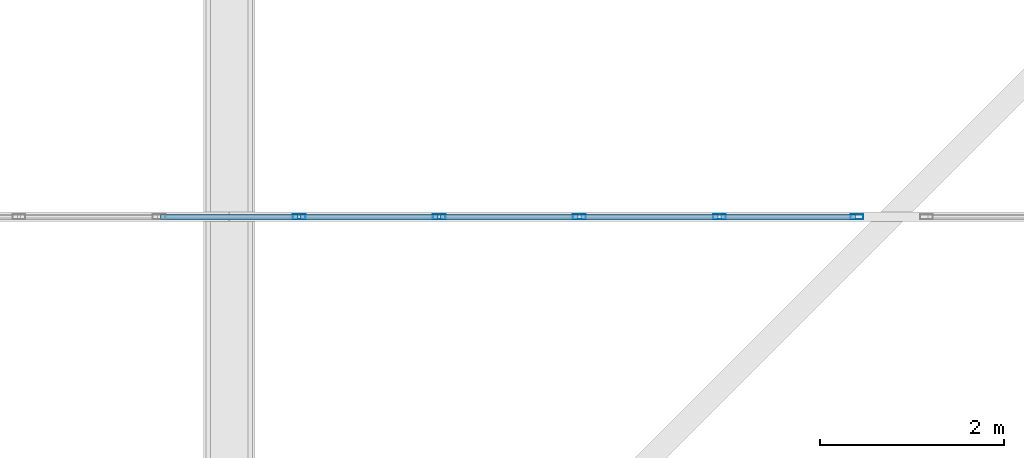
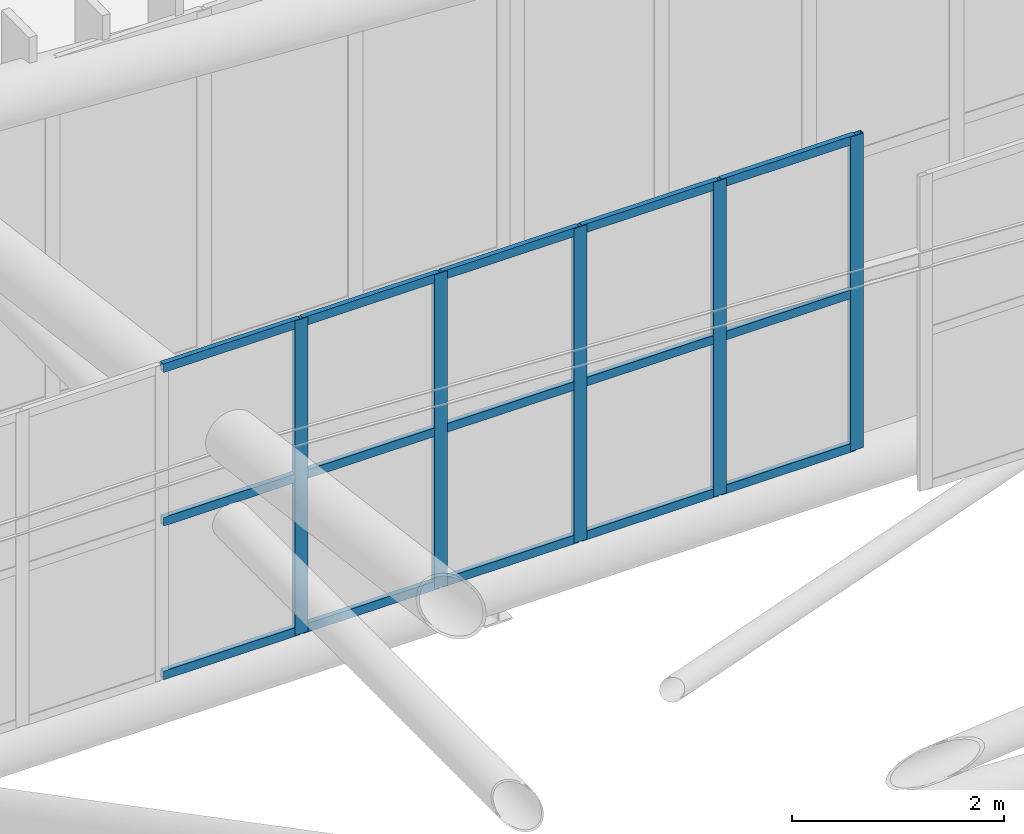
# One storey, part 308 of 397: 20 members, 1 element without a shape of its own.
"""IFC4 building model written with IfcOpenShell, lengths in metres."""

import ifcopenshell
import ifcopenshell.guid

model = None  # the IFC model being written
_history = None  # IfcOwnerHistory: only IFC2X3 demands one
_inside = {}  # id of a spatial element -> (the spatial element, [elements in it])
_under = {}  # id of a project, library or spatial element -> (it, [spatial elements below it])
_declared = {}  # id of a project -> (the project, [libraries it declares])
_typed = {}  # id of a type object -> (the type object, [elements of that type])
_made_of = {}  # id of a material, layer set ... -> (it, [elements and type objects made of it])


def new_model(schema):
    """Start an empty IFC model of exactly this schema.

    Asked for "IFC4X3", IfcOpenShell would pick the latest addendum, in which some entities
    have other attributes; the version numbers below select the first issue.
    IFC2X3 requires an IfcOwnerHistory on every rooted entity: one is made here for all.
    """
    global model, _history
    if schema == "IFC4X3":
        model = ifcopenshell.file(schema_version=(4, 3, 0, 0))
    else:
        model = ifcopenshell.file(schema=schema)
    _inside.clear()
    _under.clear()
    _declared.clear()
    _typed.clear()
    _made_of.clear()
    _history = None
    if model.schema == "IFC2X3":
        org = make("IfcOrganization", Name="unknown")
        user = make(
            "IfcPersonAndOrganization",
            ThePerson=make("IfcPerson", FamilyName="unknown"),
            TheOrganization=org,
        )
        app = make(
            "IfcApplication",
            ApplicationDeveloper=org,
            Version="unknown",
            ApplicationFullName="unknown",
            ApplicationIdentifier="unknown",
        )
        _history = make(
            "IfcOwnerHistory",
            OwningUser=user,
            OwningApplication=app,
            ChangeAction="ADDED",
            CreationDate=0,
        )
    return model


def make(cls, **values):
    """One entity of the class cls with the attributes given. An attribute that is None is left unset."""
    return model.create_entity(
        cls, **{name: value for name, value in values.items() if value is not None}
    )


def rooted(cls, **values):
    """An entity with a GlobalId (a new one), such as an element, a storey or a relation."""
    return make(cls, GlobalId=ifcopenshell.guid.new(), OwnerHistory=_history, **values)


def si_unit(unit_type, name, prefix=None):
    """IfcSIUnit, for example si_unit("LENGTHUNIT", "METRE", prefix="MILLI")."""
    return make("IfcSIUnit", UnitType=unit_type, Prefix=prefix, Name=name)


def assignment(units):
    """IfcUnitAssignment: the units of a project."""
    return None if units is None else make("IfcUnitAssignment", Units=units)


def point(xyz):
    """IfcCartesianPoint."""
    return None if xyz is None else make("IfcCartesianPoint", Coordinates=xyz)


def direction(xyz):
    """IfcDirection."""
    return None if xyz is None else make("IfcDirection", DirectionRatios=xyz)


def frame(location, z_axis=None, x_axis=None):
    """IfcAxis2Placement3D, a coordinate frame: its origin and axes. An axis left out is left unset."""
    return make(
        "IfcAxis2Placement3D",
        Location=point(location),
        Axis=direction(z_axis),
        RefDirection=direction(x_axis),
    )


def frame_2d(location, x_axis=None):
    """IfcAxis2Placement2D, a coordinate frame in the plane: its origin and x axis."""
    return make(
        "IfcAxis2Placement2D", Location=point(location), RefDirection=direction(x_axis)
    )


def origin():
    """The frame at (0, 0, 0) with its axes left unset."""
    return frame((0.0, 0.0, 0.0))


def origin_2d():
    """The frame at (0, 0) in the plane with its x axis left unset."""
    return frame_2d((0.0, 0.0))


def place(relative_to, where):
    """IfcLocalPlacement: puts the frame where relative to a parent placement (None: the world)."""
    return make(
        "IfcLocalPlacement", PlacementRelTo=relative_to, RelativePlacement=where
    )


def context(
    kind, dimensions, precision=None, world=None, true_north=None, identifier=None
):
    """IfcGeometricRepresentationContext, for example the 3D "Model" context."""
    return make(
        "IfcGeometricRepresentationContext",
        ContextIdentifier=identifier,
        ContextType=kind,
        CoordinateSpaceDimension=dimensions,
        Precision=precision,
        WorldCoordinateSystem=world,
        TrueNorth=true_north,
    )


def subcontext(parent, identifier, kind, view, scale=None):
    """IfcGeometricRepresentationSubContext, for example "Body" below "Model"."""
    return make(
        "IfcGeometricRepresentationSubContext",
        ContextIdentifier=identifier,
        ContextType=kind,
        ParentContext=parent,
        TargetScale=scale,
        TargetView=view,
    )


def project(units=None, contexts=None):
    """IfcProject with its units and contexts."""
    return rooted(
        "IfcProject",
        Name="project",
        RepresentationContexts=contexts,
        UnitsInContext=assignment(units),
    )


def spatial(cls, under=None, at=None, **own):
    """A site, building, storey or space (cls), placed at a placement, below another one or the project."""
    s = rooted(cls, ObjectPlacement=at, **own)
    if under is not None:
        _under.setdefault(under.id(), (under, []))[1].append(s)
    return s


def profile(cls, at=None, kind="AREA", **sizes):
    """A parametric profile (cls). Its sizes go by their IFC names, for example OverallWidth=200.0."""
    return make(cls, ProfileType=kind, Position=at, **sizes)


def hollow_rectangle(**sizes):
    """IfcRectangleHollowProfileDef."""
    return profile("IfcRectangleHollowProfileDef", **sizes)


def extrude(swept, where, along, depth):
    """IfcExtrudedAreaSolid: the profile swept, set in the frame where, extruded along a direction by depth."""
    return make(
        "IfcExtrudedAreaSolid",
        SweptArea=swept,
        Position=where,
        ExtrudedDirection=direction(along),
        Depth=depth,
    )


def shape(context_of_items, identifier, shape_type, items):
    """IfcShapeRepresentation: the items that make up one representation, for example the "Body"."""
    return make(
        "IfcShapeRepresentation",
        ContextOfItems=context_of_items,
        RepresentationIdentifier=identifier,
        RepresentationType=shape_type,
        Items=items,
    )


def material(Name=None, Category=None):
    """IfcMaterial."""
    return make("IfcMaterial", Name=Name, Category=Category)


def material_profile(
    of_material, cross_section, Name=None, Category=None, Priority=None
):
    """IfcMaterialProfile: a cross section and its material."""
    return make(
        "IfcMaterialProfile",
        Name=Name,
        Material=of_material,
        Profile=cross_section,
        Priority=Priority,
        Category=Category,
    )


def profile_set(profiles, Name=None, composite=None):
    """IfcMaterialProfileSet."""
    return make(
        "IfcMaterialProfileSet",
        Name=Name,
        MaterialProfiles=profiles,
        CompositeProfile=composite,
    )


def made_of(thing, what):
    """Note that an element or type object is made of a material, layer set ...; save() writes the relation."""
    if what is not None:
        _made_of.setdefault(what.id(), (what, []))[1].append(thing)
    return thing


def type_object(cls, material=None, **own):
    """A type object (cls), such as IfcWallType, which elements share."""
    return made_of(rooted(cls, **own), material)


def element(
    cls,
    number,
    at=None,
    inside=None,
    cuts=None,
    type_object=None,
    material=None,
    context=None,
    identifier="Body",
    shape_type=None,
    held_by="IfcProductDefinitionShape",
    body=None,
    shapes=None,
    **own,
):
    """One element of the class cls, such as IfcWall. Its Tag is "e" and its number.

    at: its placement. inside: the storey or other place that contains it. cuts: it is an
    opening in that element (IfcRelVoidsElement). A single representation is given by context,
    identifier, shape_type and body (its items); several are given by shapes. held_by: the class
    of the entity that holds the representations. save() writes the other relations.
    """
    e = rooted(cls, Tag="e%d" % number, ObjectPlacement=at, **own)
    if body is not None:
        shapes = [shape(context, identifier, shape_type, body)]
    if shapes is not None:
        e.Representation = make(held_by, Representations=shapes)
    if inside is not None:
        _inside.setdefault(inside.id(), (inside, []))[1].append(e)
    if cuts is not None:
        rooted(
            "IfcRelVoidsElement", RelatingBuildingElement=cuts, RelatedOpeningElement=e
        )
    if type_object is not None:
        _typed.setdefault(type_object.id(), (type_object, []))[1].append(e)
    return made_of(e, material)


def aggregate(whole, parts):
    """IfcRelAggregates: a whole, such as a stair, and the parts it consists of."""
    return rooted("IfcRelAggregates", RelatingObject=whole, RelatedObjects=parts)


def save(model, path):
    """Write the relations noted so far, then the file.

    IfcRelAggregates (storeys below a building ...), IfcRelContainedInSpatialStructure (elements
    in a storey), IfcRelDefinesByType, IfcRelAssociatesMaterial and IfcRelDeclares: one each for
    every whole, place, type object, material and project.
    """
    for whole, parts in _under.values():
        aggregate(whole, parts)
    for where, things in _inside.values():
        rooted(
            "IfcRelContainedInSpatialStructure",
            RelatedElements=things,
            RelatingStructure=where,
        )
    for kind, things in _typed.values():
        rooted("IfcRelDefinesByType", RelatedObjects=things, RelatingType=kind)
    for what, things in _made_of.values():
        rooted("IfcRelAssociatesMaterial", RelatedObjects=things, RelatingMaterial=what)
    for by, libraries in _declared.values():
        rooted("IfcRelDeclares", RelatingContext=by, RelatedDefinitions=libraries)
    model.write(path)


model = new_model("IFC4")

# Units and contexts
model_context = context("Model", 3, precision=1e-05, world=origin(), true_north=direction((0.0, 1.0)))
body_context = subcontext(model_context, "Body", "Model", "MODEL_VIEW")
ifc_project = project(units=[si_unit("LENGTHUNIT", "METRE"), si_unit("AREAUNIT", "SQUARE_METRE"), si_unit("VOLUMEUNIT", "CUBIC_METRE"), si_unit("PLANEANGLEUNIT", "RADIAN"), si_unit("MASSUNIT", "GRAM", prefix="KILO")], contexts=[model_context])

# Site, building, storey
site_placement = place(None, origin())
site = spatial("IfcSite", under=ifc_project, at=site_placement, CompositionType="ELEMENT")
building_placement = place(site_placement, origin())
building = spatial("IfcBuilding", under=site, at=building_placement, Name="Qandorah Velis Arena", CompositionType="ELEMENT")
storey_placement = place(building_placement, frame((0.0, 0.0, 27.5)))
storey = spatial("IfcBuildingStorey", under=building, at=storey_placement, Name="RF", CompositionType="ELEMENT", Elevation=27.5)

# Curtain wall, members
ifc_material_1 = material(Name="Solar-control low-E double glazing", Category="glass")
curtain_wall_type = type_object("IfcCurtainWallType", Name="ARC-CW-SYS04", PredefinedType="USERDEFINED", material=ifc_material_1)
curtain_wall_placement = place(storey_placement, origin())
curtain_wall = element("IfcCurtainWall", 1, at=curtain_wall_placement, inside=storey, type_object=curtain_wall_type, Name="Unitised curtain wall MON-4-4", ObjectType="UNITISED CURTAIN WALL", PredefinedType="USERDEFINED")
ifc_material_2 = material(Name="Champagne-bronze anodized aluminium 6063-T6", Category="aluminium")
ifc_material_profile_1 = material_profile(ifc_material_2, hollow_rectangle(XDim=0.054931640625, YDim=0.139892578125, WallThickness=0.0029296875, at=origin_2d()), Name="ALU MULLION 55x140")
ifc_profile_set_1 = profile_set([ifc_material_profile_1], Name="Champagne-bronze anodized aluminium 6063-T6")
member_type_1 = type_object("IfcMemberType", Name="ARC-CWM-140", PredefinedType="MULLION", material=ifc_profile_set_1)
member_1_placement = place(storey_placement, frame((72.76123046875, 108.0, 6.064697265625), z_axis=(0.0, 0.0, 1.0), x_axis=(0.0, 1.0, 0.0)))
member_1 = element("IfcMember", 2, at=member_1_placement, type_object=member_type_1, Name="CW04 mullion 6", PredefinedType="MULLION", context=body_context, shape_type="SweptSolid", body=[
    extrude(hollow_rectangle(XDim=0.054931640625, YDim=0.139892578125, WallThickness=0.0029296875, at=origin_2d()), origin(), (0.0, 0.0, 1.0), 3.6298828125),
])
member_2_placement = place(storey_placement, frame((74.283447265625, 108.0, 6.064697265625), z_axis=(0.0, 0.0, 1.0), x_axis=(0.0, 1.0, 0.0)))
member_2 = element("IfcMember", 3, at=member_2_placement, type_object=member_type_1, Name="CW04 mullion 7", PredefinedType="MULLION", context=body_context, shape_type="SweptSolid", body=[
    extrude(hollow_rectangle(XDim=0.054931640625, YDim=0.139892578125, WallThickness=0.0029296875, at=origin_2d()), origin(), (0.0, 0.0, 1.0), 3.6298828125),
])
member_3_placement = place(storey_placement, frame((75.8056640625, 108.0, 6.064697265625), z_axis=(0.0, 0.0, 1.0), x_axis=(0.0, 1.0, 0.0)))
member_3 = element("IfcMember", 4, at=member_3_placement, type_object=member_type_1, Name="CW04 mullion 8", PredefinedType="MULLION", context=body_context, shape_type="SweptSolid", body=[
    extrude(hollow_rectangle(XDim=0.054931640625, YDim=0.139892578125, WallThickness=0.0029296875, at=origin_2d()), origin(), (0.0, 0.0, 1.0), 3.6298828125),
])
member_4_placement = place(storey_placement, frame((77.327880859375, 108.0, 6.064697265625), z_axis=(0.0, 0.0, 1.0), x_axis=(0.0, 1.0, 0.0)))
member_4 = element("IfcMember", 5, at=member_4_placement, type_object=member_type_1, Name="CW04 mullion 9", PredefinedType="MULLION", context=body_context, shape_type="SweptSolid", body=[
    extrude(hollow_rectangle(XDim=0.054931640625, YDim=0.139892578125, WallThickness=0.0029296875, at=origin_2d()), origin(), (0.0, 0.0, 1.0), 3.6298828125),
])
member_5_placement = place(storey_placement, frame((78.822509765625, 108.0, 6.064697265625), z_axis=(0.0, 0.0, 1.0), x_axis=(0.0, 1.0, 0.0)))
member_5 = element("IfcMember", 6, at=member_5_placement, type_object=member_type_1, Name="CW04 mullion 10", PredefinedType="MULLION", context=body_context, shape_type="SweptSolid", body=[
    extrude(hollow_rectangle(XDim=0.054931640625, YDim=0.139892578125, WallThickness=0.0029296875, at=origin_2d()), origin(), (0.0, 0.0, 1.0), 3.6298828125),
])
ifc_material_profile_2 = material_profile(ifc_material_2, hollow_rectangle(XDim=0.054931640625, YDim=0.10009765625, WallThickness=0.0029296875, at=origin_2d()), Name="ALU TRANSOM 55x100")
ifc_profile_set_2 = profile_set([ifc_material_profile_2], Name="Champagne-bronze anodized aluminium 6063-T6")
member_type_2 = type_object("IfcMemberType", Name="ARC-CWT-100", PredefinedType="USERDEFINED", material=ifc_profile_set_2)
member_6_placement = place(storey_placement, frame((71.25439453125, 108.0, 6.107177734375), z_axis=(1.0, 0.0, 0.0), x_axis=(0.0, 1.0, 0.0)))
member_6 = element("IfcMember", 7, at=member_6_placement, type_object=member_type_2, Name="CW04 transom 5.1", ObjectType="TRANSOM", PredefinedType="USERDEFINED", context=body_context, shape_type="SweptSolid", body=[
    extrude(hollow_rectangle(XDim=0.054931640625, YDim=0.10009765625, WallThickness=0.0029296875, at=origin_2d()), origin(), (0.0, 0.0, 1.0), 1.4912109375),
])
member_7_placement = place(storey_placement, frame((71.25439453125, 108.0, 7.879638671875), z_axis=(1.0, 0.0, 0.0), x_axis=(0.0, 1.0, 0.0)))
member_7 = element("IfcMember", 8, at=member_7_placement, type_object=member_type_2, Name="CW04 transom 5.2", ObjectType="TRANSOM", PredefinedType="USERDEFINED", context=body_context, shape_type="SweptSolid", body=[
    extrude(hollow_rectangle(XDim=0.054931640625, YDim=0.10009765625, WallThickness=0.0029296875, at=origin_2d()), origin(), (0.0, 0.0, 1.0), 1.4912109375),
])
member_8_placement = place(storey_placement, frame((71.25439453125, 108.0, 9.652099609375), z_axis=(1.0, 0.0, 0.0), x_axis=(0.0, 1.0, 0.0)))
member_8 = element("IfcMember", 9, at=member_8_placement, type_object=member_type_2, Name="CW04 transom 5.3", ObjectType="TRANSOM", PredefinedType="USERDEFINED", context=body_context, shape_type="SweptSolid", body=[
    extrude(hollow_rectangle(XDim=0.054931640625, YDim=0.10009765625, WallThickness=0.0029296875, at=origin_2d()), origin(), (0.0, 0.0, 1.0), 1.4912109375),
])
member_9_placement = place(storey_placement, frame((72.776611328125, 108.0, 6.107177734375), z_axis=(1.0, 0.0, 0.0), x_axis=(0.0, 1.0, 0.0)))
member_9 = element("IfcMember", 10, at=member_9_placement, type_object=member_type_2, Name="CW04 transom 6.1", ObjectType="TRANSOM", PredefinedType="USERDEFINED", context=body_context, shape_type="SweptSolid", body=[
    extrude(hollow_rectangle(XDim=0.054931640625, YDim=0.10009765625, WallThickness=0.0029296875, at=origin_2d()), origin(), (0.0, 0.0, 1.0), 1.4912109375),
])
member_10_placement = place(storey_placement, frame((72.776611328125, 108.0, 7.879638671875), z_axis=(1.0, 0.0, 0.0), x_axis=(0.0, 1.0, 0.0)))
member_10 = element("IfcMember", 11, at=member_10_placement, type_object=member_type_2, Name="CW04 transom 6.2", ObjectType="TRANSOM", PredefinedType="USERDEFINED", context=body_context, shape_type="SweptSolid", body=[
    extrude(hollow_rectangle(XDim=0.054931640625, YDim=0.10009765625, WallThickness=0.0029296875, at=origin_2d()), origin(), (0.0, 0.0, 1.0), 1.4912109375),
])
member_11_placement = place(storey_placement, frame((72.776611328125, 108.0, 9.652099609375), z_axis=(1.0, 0.0, 0.0), x_axis=(0.0, 1.0, 0.0)))
member_11 = element("IfcMember", 12, at=member_11_placement, type_object=member_type_2, Name="CW04 transom 6.3", ObjectType="TRANSOM", PredefinedType="USERDEFINED", context=body_context, shape_type="SweptSolid", body=[
    extrude(hollow_rectangle(XDim=0.054931640625, YDim=0.10009765625, WallThickness=0.0029296875, at=origin_2d()), origin(), (0.0, 0.0, 1.0), 1.4912109375),
])
member_12_placement = place(storey_placement, frame((74.298828125, 108.0, 6.107177734375), z_axis=(1.0, 0.0, 0.0), x_axis=(0.0, 1.0, 0.0)))
member_12 = element("IfcMember", 13, at=member_12_placement, type_object=member_type_2, Name="CW04 transom 7.1", ObjectType="TRANSOM", PredefinedType="USERDEFINED", context=body_context, shape_type="SweptSolid", body=[
    extrude(hollow_rectangle(XDim=0.054931640625, YDim=0.10009765625, WallThickness=0.0029296875, at=origin_2d()), origin(), (0.0, 0.0, 1.0), 1.4912109375),
])
member_13_placement = place(storey_placement, frame((74.298828125, 108.0, 7.879638671875), z_axis=(1.0, 0.0, 0.0), x_axis=(0.0, 1.0, 0.0)))
member_13 = element("IfcMember", 14, at=member_13_placement, type_object=member_type_2, Name="CW04 transom 7.2", ObjectType="TRANSOM", PredefinedType="USERDEFINED", context=body_context, shape_type="SweptSolid", body=[
    extrude(hollow_rectangle(XDim=0.054931640625, YDim=0.10009765625, WallThickness=0.0029296875, at=origin_2d()), origin(), (0.0, 0.0, 1.0), 1.4912109375),
])
member_14_placement = place(storey_placement, frame((74.298828125, 108.0, 9.652099609375), z_axis=(1.0, 0.0, 0.0), x_axis=(0.0, 1.0, 0.0)))
member_14 = element("IfcMember", 15, at=member_14_placement, type_object=member_type_2, Name="CW04 transom 7.3", ObjectType="TRANSOM", PredefinedType="USERDEFINED", context=body_context, shape_type="SweptSolid", body=[
    extrude(hollow_rectangle(XDim=0.054931640625, YDim=0.10009765625, WallThickness=0.0029296875, at=origin_2d()), origin(), (0.0, 0.0, 1.0), 1.4912109375),
])
member_15_placement = place(storey_placement, frame((75.821044921875, 108.0, 6.107177734375), z_axis=(1.0, 0.0, 0.0), x_axis=(0.0, 1.0, 0.0)))
member_15 = element("IfcMember", 16, at=member_15_placement, type_object=member_type_2, Name="CW04 transom 8.1", ObjectType="TRANSOM", PredefinedType="USERDEFINED", context=body_context, shape_type="SweptSolid", body=[
    extrude(hollow_rectangle(XDim=0.054931640625, YDim=0.10009765625, WallThickness=0.0029296875, at=origin_2d()), origin(), (0.0, 0.0, 1.0), 1.4912109375),
])
member_16_placement = place(storey_placement, frame((75.821044921875, 108.0, 7.879638671875), z_axis=(1.0, 0.0, 0.0), x_axis=(0.0, 1.0, 0.0)))
member_16 = element("IfcMember", 17, at=member_16_placement, type_object=member_type_2, Name="CW04 transom 8.2", ObjectType="TRANSOM", PredefinedType="USERDEFINED", context=body_context, shape_type="SweptSolid", body=[
    extrude(hollow_rectangle(XDim=0.054931640625, YDim=0.10009765625, WallThickness=0.0029296875, at=origin_2d()), origin(), (0.0, 0.0, 1.0), 1.4912109375),
])
member_17_placement = place(storey_placement, frame((75.821044921875, 108.0, 9.652099609375), z_axis=(1.0, 0.0, 0.0), x_axis=(0.0, 1.0, 0.0)))
member_17 = element("IfcMember", 18, at=member_17_placement, type_object=member_type_2, Name="CW04 transom 8.3", ObjectType="TRANSOM", PredefinedType="USERDEFINED", context=body_context, shape_type="SweptSolid", body=[
    extrude(hollow_rectangle(XDim=0.054931640625, YDim=0.10009765625, WallThickness=0.0029296875, at=origin_2d()), origin(), (0.0, 0.0, 1.0), 1.4912109375),
])
member_18_placement = place(storey_placement, frame((77.34326171875, 108.0, 6.107177734375), z_axis=(1.0, 0.0, 0.0), x_axis=(0.0, 1.0, 0.0)))
member_18 = element("IfcMember", 19, at=member_18_placement, type_object=member_type_2, Name="CW04 transom 9.1", ObjectType="TRANSOM", PredefinedType="USERDEFINED", context=body_context, shape_type="SweptSolid", body=[
    extrude(hollow_rectangle(XDim=0.054931640625, YDim=0.10009765625, WallThickness=0.0029296875, at=origin_2d()), origin(), (0.0, 0.0, 1.0), 1.463623046875),
])
member_19_placement = place(storey_placement, frame((77.34326171875, 108.0, 7.879638671875), z_axis=(1.0, 0.0, 0.0), x_axis=(0.0, 1.0, 0.0)))
member_19 = element("IfcMember", 20, at=member_19_placement, type_object=member_type_2, Name="CW04 transom 9.2", ObjectType="TRANSOM", PredefinedType="USERDEFINED", context=body_context, shape_type="SweptSolid", body=[
    extrude(hollow_rectangle(XDim=0.054931640625, YDim=0.10009765625, WallThickness=0.0029296875, at=origin_2d()), origin(), (0.0, 0.0, 1.0), 1.463623046875),
])
member_20_placement = place(storey_placement, frame((77.34326171875, 108.0, 9.652099609375), z_axis=(1.0, 0.0, 0.0), x_axis=(0.0, 1.0, 0.0)))
member_20 = element("IfcMember", 21, at=member_20_placement, type_object=member_type_2, Name="CW04 transom 9.3", ObjectType="TRANSOM", PredefinedType="USERDEFINED", context=body_context, shape_type="SweptSolid", body=[
    extrude(hollow_rectangle(XDim=0.054931640625, YDim=0.10009765625, WallThickness=0.0029296875, at=origin_2d()), origin(), (0.0, 0.0, 1.0), 1.463623046875),
])
aggregate(curtain_wall, [member_1, member_2, member_3, member_4, member_5, member_6, member_7, member_8, member_9, member_10, member_11, member_12, member_13, member_14, member_15, member_16, member_17, member_18, member_19, member_20])

save(model, "model.ifc")
